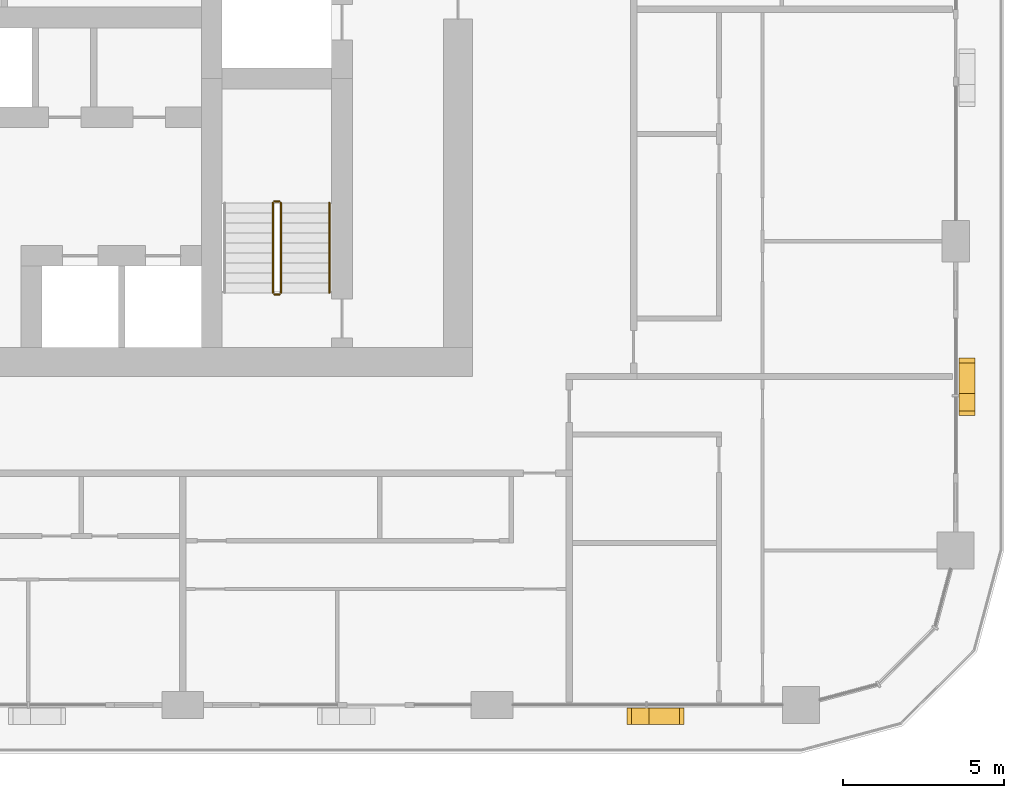
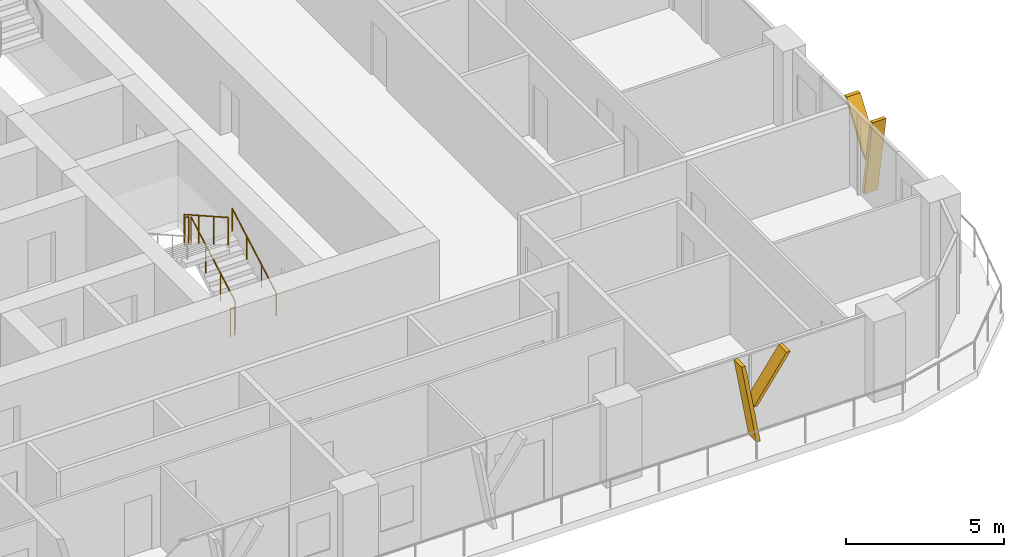
# One storey, part 18 of 21: 5 railings, 4 shading devices.
"""IFC4 building model written with IfcOpenShell, lengths in metres."""

from ifc_helpers import new_model, si_unit, direction, frame, origin, origin_2d, place, context, subcontext, project, spatial, polyline, circle, outline, extrude, material, type_object, element, save


model = new_model("IFC4")

# Units and contexts
model_context = context("Model", 3, precision=1e-05, world=origin(), true_north=direction((0.0, 1.0)))
body_context = subcontext(model_context, "Body", "Model", "MODEL_VIEW")
ifc_project = project(units=[si_unit("LENGTHUNIT", "METRE"), si_unit("AREAUNIT", "SQUARE_METRE"), si_unit("VOLUMEUNIT", "CUBIC_METRE"), si_unit("PLANEANGLEUNIT", "RADIAN"), si_unit("MASSUNIT", "GRAM", prefix="KILO")], contexts=[model_context])

# Site, building, storey
site_placement = place(None, origin())
site = spatial("IfcSite", under=ifc_project, at=site_placement, CompositionType="ELEMENT")
building_placement = place(site_placement, origin())
building = spatial("IfcBuilding", under=site, at=building_placement, Name="Madar Terraces", CompositionType="ELEMENT")
storey_placement = place(building_placement, frame((0.0, 0.0, 110.199951171875)))
storey = spatial("IfcBuildingStorey", under=building, at=storey_placement, Name="L28", CompositionType="ELEMENT", Elevation=110.199951171875)

# Shading devices
ifc_material_1 = material(Name="Aluminium, black anodised", Category="aluminium")
shading_device_type = type_object("IfcShadingDeviceType", Name="Facade fin blade 140 x 500", PredefinedType="USERDEFINED", material=ifc_material_1)
shading_device_1_placement = place(storey_placement, frame((52.72998046875, 4.449951171875, 0.0), z_axis=(0.0, 0.0, 1.0), x_axis=(1.0, 0.0, 0.0)))
element("IfcShadingDevice", 1, at=shading_device_1_placement, inside=storey, type_object=shading_device_type, Name="FIN L28 S5", ObjectType="FIN", PredefinedType="USERDEFINED", context=body_context, shape_type="SweptSolid", body=[
    extrude(outline(polyline([(0.0, 0.0), (0.14013671875, 0.0), (-0.403076171875, 3.080078125), (-0.54296875, 3.080078125), (0.0, 0.0)])), frame((0.0, 0.25, 0.0), z_axis=(0.0, -1.0, 0.0), x_axis=(1.0, 0.0, 0.0)), (0.0, 0.0, 1.0), 0.5),
])
shading_device_2_placement = place(storey_placement, frame((52.625732421875, 4.449951171875, 1.385986328125), z_axis=(0.0, 0.0, 1.0), x_axis=(1.0, 0.0, 0.0)))
element("IfcShadingDevice", 2, at=shading_device_2_placement, inside=storey, type_object=shading_device_type, Name="FIN L28 S5 branch", ObjectType="FIN", PredefinedType="USERDEFINED", context=body_context, shape_type="SweptSolid", body=[
    extrude(outline(polyline([(0.0, 0.0), (0.139892578125, 0.0), (1.34130859375, 1.694091796875), (1.201416015625, 1.694091796875), (0.0, 0.0)])), frame((0.0, 0.25, 0.0), z_axis=(0.0, -1.0, 0.0), x_axis=(1.0, 0.0, 0.0)), (0.0, 0.0, 1.0), 0.5),
])
shading_device_3_placement = place(storey_placement, frame((62.75, 14.330078125, 0.0), z_axis=(0.0, 0.0, 1.0), x_axis=(0.0, 1.0, 0.0)))
element("IfcShadingDevice", 3, at=shading_device_3_placement, inside=storey, type_object=shading_device_type, Name="FIN L28 E1", ObjectType="FIN", PredefinedType="USERDEFINED", context=body_context, shape_type="SweptSolid", body=[
    extrude(outline(polyline([(0.0, 0.0), (0.139892578125, 0.0), (-0.403076171875, 3.080078125), (-0.54296875, 3.080078125), (0.0, 0.0)])), frame((0.0, 0.25, 0.0), z_axis=(0.0, -1.0, 0.0), x_axis=(1.0, 0.0, 0.0)), (0.0, 0.0, 1.0), 0.5),
])
shading_device_4_placement = place(storey_placement, frame((62.75, 14.2255859375, 1.385986328125), z_axis=(0.0, 0.0, 1.0), x_axis=(0.0, 1.0, 0.0)))
element("IfcShadingDevice", 4, at=shading_device_4_placement, inside=storey, type_object=shading_device_type, Name="FIN L28 E1 branch", ObjectType="FIN", PredefinedType="USERDEFINED", context=body_context, shape_type="SweptSolid", body=[
    extrude(outline(polyline([(0.0, 0.0), (0.14013671875, 0.0), (1.34130859375, 1.694091796875), (1.201416015625, 1.694091796875), (0.0, 0.0)])), frame((0.0, 0.25, 0.0), z_axis=(0.0, -1.0, 0.0), x_axis=(1.0, 0.0, 0.0)), (0.0, 0.0, 1.0), 0.5),
])

# Railings
ifc_material_2 = material(Name="Stainless steel railing", Category="steel")
railing_type_1 = type_object("IfcRailingType", Name="Stair guard 1100", PredefinedType="GUARDRAIL", material=ifc_material_2)
railing_1_placement = place(storey_placement, frame((41.449951171875, 17.60009765625, 0.175048828125)))
element("IfcRailing", 5, at=railing_1_placement, inside=storey, type_object=railing_type_1, Name="L28 ST3 stair guard 1", PredefinedType="GUARDRAIL", context=body_context, shape_type="SweptSolid", body=[
    extrude(circle(Radius=0.02392578125, at=origin_2d()), frame((0.0, 0.0, 1.076171875), z_axis=(0.0, 0.870815363784, 0.491610213684), x_axis=(-1.0, 0.0, 0.0)), (0.0, 0.0, 1.0), 3.20361328125),
    extrude(circle(Radius=0.02099609375, at=origin_2d()), origin(), (0.0, 0.0, 1.0), 1.052001953125),
    extrude(circle(Radius=0.02099609375, at=origin_2d()), frame((0.0, 0.929931640625, 0.52490234375)), (0.0, 0.0, 1.0), 1.052001953125),
    extrude(circle(Radius=0.02099609375, at=origin_2d()), frame((0.0, 1.85986328125, 1.050048828125)), (0.0, 0.0, 1.0), 1.052001953125),
    extrude(circle(Radius=0.02099609375, at=origin_2d()), frame((0.0, 2.789794921875, 1.574951171875)), (0.0, 0.0, 1.0), 1.052001953125),
])
railing_2_placement = place(storey_placement, frame((41.39990234375, 20.43994140625, 1.75)))
element("IfcRailing", 6, at=railing_2_placement, inside=storey, type_object=railing_type_1, Name="L28 ST3 stair guard 2", PredefinedType="GUARDRAIL", context=body_context, shape_type="SweptSolid", body=[
    extrude(circle(Radius=0.02392578125, at=origin_2d()), frame((0.0, 0.0, 1.076171875), z_axis=(-1.0, 0.0, 0.0), x_axis=(0.0, -1.0, 0.0)), (0.0, 0.0, 1.0), 0.14990234375),
    extrude(circle(Radius=0.02099609375, at=origin_2d()), origin(), (0.0, 0.0, 1.0), 1.052001953125),
    extrude(circle(Radius=0.02099609375, at=origin_2d()), frame((-0.14990234375, 0.0, 0.0)), (0.0, 0.0, 1.0), 1.052001953125),
])
railing_3_placement = place(storey_placement, frame((41.199951171875, 20.389892578125, 1.925048828125)))
element("IfcRailing", 7, at=railing_3_placement, inside=storey, type_object=railing_type_1, Name="L28 ST3 stair guard 3", PredefinedType="GUARDRAIL", context=body_context, shape_type="SweptSolid", body=[
    extrude(circle(Radius=0.02392578125, at=origin_2d()), frame((0.0, 0.0, 1.076171875), z_axis=(0.0, -0.870815363784, 0.491610213684), x_axis=(1.0, 0.0, 0.0)), (0.0, 0.0, 1.0), 3.20361328125),
    extrude(circle(Radius=0.02099609375, at=origin_2d()), origin(), (0.0, 0.0, 1.0), 1.052001953125),
    extrude(circle(Radius=0.02099609375, at=origin_2d()), frame((0.0, -0.929931640625, 0.52490234375)), (0.0, 0.0, 1.0), 1.052001953125),
    extrude(circle(Radius=0.02099609375, at=origin_2d()), frame((0.0, -1.85986328125, 1.050048828125)), (0.0, 0.0, 1.0), 1.052001953125),
    extrude(circle(Radius=0.02099609375, at=origin_2d()), frame((0.0, -2.789794921875, 1.574951171875)), (0.0, 0.0, 1.0), 1.052001953125),
])
railing_4_placement = place(storey_placement, frame((41.39990234375, 17.550048828125, 0.0)))
element("IfcRailing", 8, at=railing_4_placement, inside=storey, type_object=railing_type_1, Name="L28 ST3 stair guard 4", PredefinedType="GUARDRAIL", context=body_context, shape_type="SweptSolid", body=[
    extrude(circle(Radius=0.02392578125, at=origin_2d()), frame((0.0, 0.0, 1.076171875), z_axis=(-1.0, 0.0, 0.0), x_axis=(0.0, -1.0, 0.0)), (0.0, 0.0, 1.0), 0.14990234375),
    extrude(circle(Radius=0.02099609375, at=origin_2d()), origin(), (0.0, 0.0, 1.0), 1.052001953125),
    extrude(circle(Radius=0.02099609375, at=origin_2d()), frame((-0.14990234375, 0.0, 0.0)), (0.0, 0.0, 1.0), 1.052001953125),
])
ifc_material_3 = material(Name="Stainless steel railing", Category="steel")
railing_type_2 = type_object("IfcRailingType", Name="Stair handrail 900", PredefinedType="HANDRAIL", material=ifc_material_3)
railing_5_placement = place(storey_placement, frame((42.949951171875, 17.60009765625, 0.175048828125)))
element("IfcRailing", 9, at=railing_5_placement, inside=storey, type_object=railing_type_2, Name="L28 ST3 stair handrail 1", PredefinedType="HANDRAIL", context=body_context, shape_type="SweptSolid", body=[
    extrude(circle(Radius=0.02392578125, at=origin_2d()), frame((0.0, 0.0, 0.8759765625), z_axis=(0.0, 0.870815363784, 0.491610213684), x_axis=(-1.0, 0.0, 0.0)), (0.0, 0.0, 1.0), 3.20361328125),
    extrude(circle(Radius=0.02099609375, at=origin_2d()), origin(), (0.0, 0.0, 1.0), 0.851806640625),
    extrude(circle(Radius=0.02099609375, at=origin_2d()), frame((0.0, 0.929931640625, 0.52490234375)), (0.0, 0.0, 1.0), 0.851806640625),
    extrude(circle(Radius=0.02099609375, at=origin_2d()), frame((0.0, 1.85986328125, 1.050048828125)), (0.0, 0.0, 1.0), 0.851806640625),
    extrude(circle(Radius=0.02099609375, at=origin_2d()), frame((0.0, 2.789794921875, 1.574951171875)), (0.0, 0.0, 1.0), 0.851806640625),
])

save(model, "model.ifc")
